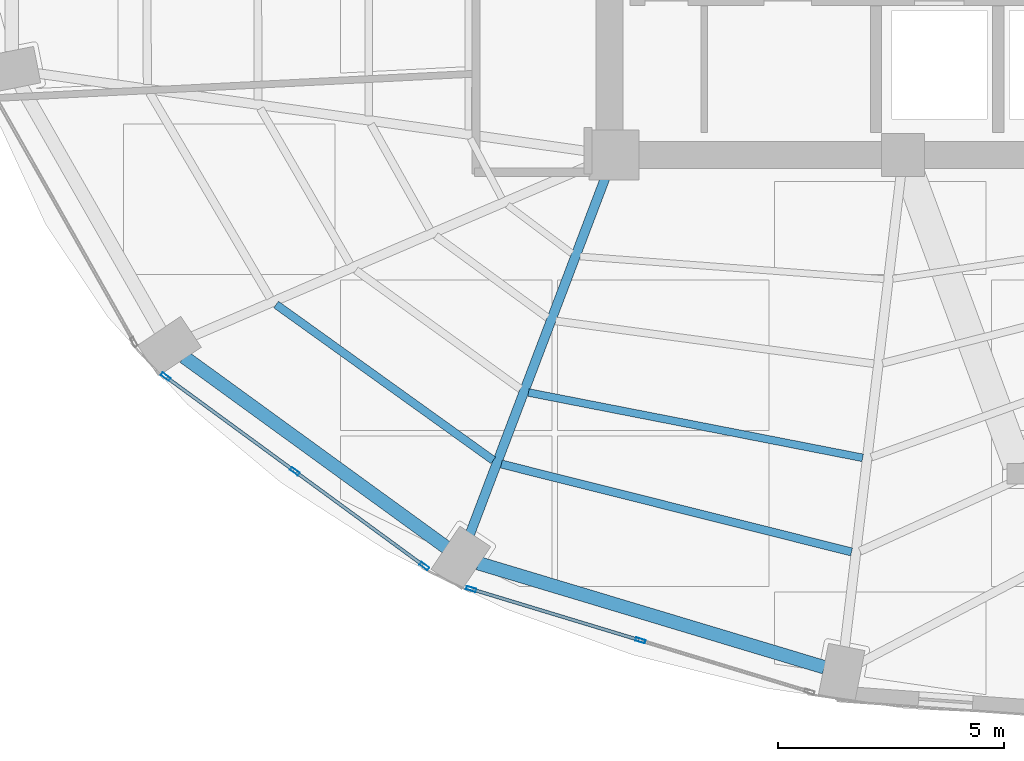
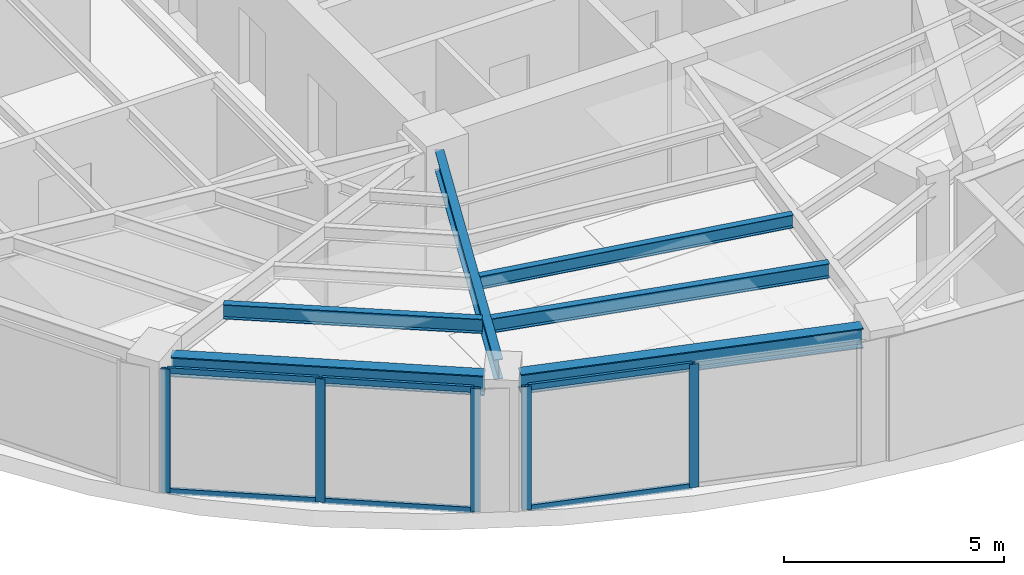
# One storey, part 2 of 20: 11 members, 6 beams, 2 elements without a shape of their own.
"""IFC4 building model written with IfcOpenShell, lengths in metres."""

from ifc_helpers import new_model, si_unit, direction, frame, origin, origin_2d, place, context, subcontext, project, spatial, hollow_rectangle, i_section, extrude, material, layer, layer_set, material_profile, profile_set, type_object, element, aggregate, save


model = new_model("IFC4")

# Units and contexts
model_context = context("Model", 3, precision=1e-05, world=origin(), true_north=direction((0.0, 1.0)))
body_context = subcontext(model_context, "Body", "Model", "MODEL_VIEW")
ifc_project = project(units=[si_unit("LENGTHUNIT", "METRE"), si_unit("AREAUNIT", "SQUARE_METRE"), si_unit("VOLUMEUNIT", "CUBIC_METRE"), si_unit("PLANEANGLEUNIT", "RADIAN"), si_unit("MASSUNIT", "GRAM", prefix="KILO")], contexts=[model_context])

# Site, building, storey
site_placement = place(None, origin())
site = spatial("IfcSite", under=ifc_project, at=site_placement, CompositionType="ELEMENT")
building_placement = place(site_placement, origin())
building = spatial("IfcBuilding", under=site, at=building_placement, Name="Lazwardi Medical Tower", CompositionType="ELEMENT")
storey_placement = place(building_placement, frame((0.0, 0.0, 138.2880859375)))
storey = spatial("IfcBuildingStorey", under=building, at=storey_placement, Name="L35", CompositionType="ELEMENT", Elevation=138.2880859375)

# Beams
ifc_material_1 = material(Name="Steel S355", Category="steel")
ifc_material_profile_1 = material_profile(ifc_material_1, i_section(OverallWidth=0.300048828125, OverallDepth=0.550048828125, WebThickness=0.014892578125, FlangeThickness=0.029052734375, at=origin_2d()), Name="HEB 550")
ifc_profile_set_1 = profile_set([ifc_material_profile_1], Name="Steel S355")
beam_type_1 = type_object("IfcBeamType", Name="BM-RB-Z3", PredefinedType="BEAM", material=ifc_profile_set_1)
beam_1_placement = place(storey_placement, frame((16.88818359375, 15.93408203125, 3.15283203125), z_axis=(0.809127570774, -0.587633026824, 0.0), x_axis=(0.587633026824, 0.809127570774, 0.0)))
element("IfcBeam", 1, at=beam_1_placement, inside=storey, type_object=beam_type_1, Name="Ring beam RB-04 B14 L35", PredefinedType="BEAM", context=body_context, shape_type="SweptSolid", body=[
    extrude(i_section(OverallWidth=0.300048828125, OverallDepth=0.550048828125, WebThickness=0.014892578125, FlangeThickness=0.029052734375, at=origin_2d()), origin(), (0.0, 0.0, 1.0), 7.170166015625),
])
beam_2_placement = place(storey_placement, frame((23.396484375, 11.37060546875, 3.15283203125), z_axis=(0.957616873483, -0.288045002771, 0.0), x_axis=(0.288045002771, 0.957616873483, 0.0)))
element("IfcBeam", 2, at=beam_2_placement, inside=storey, type_object=beam_type_1, Name="Ring beam RB-04 B15 L35", PredefinedType="BEAM", context=body_context, shape_type="SweptSolid", body=[
    extrude(i_section(OverallWidth=0.300048828125, OverallDepth=0.550048828125, WebThickness=0.014892578125, FlangeThickness=0.029052734375, at=origin_2d()), origin(), (0.0, 0.0, 1.0), 7.99951171875),
])
ifc_material_profile_2 = material_profile(ifc_material_1, i_section(OverallWidth=0.2099609375, OverallDepth=0.550048828125, WebThickness=0.010986328125, FlangeThickness=0.01708984375, at=origin_2d()), Name="IPE 550")
ifc_profile_set_2 = profile_set([ifc_material_profile_2], Name="Steel S355")
beam_type_2 = type_object("IfcBeamType", Name="BM-RG-W2", PredefinedType="BEAM", material=ifc_profile_set_2)
beam_3_placement = place(storey_placement, frame((23.21240234375, 12.00927734375, 3.15283203125), z_axis=(0.355126771712, 0.934818151307, 0.0), x_axis=(-0.934818151307, 0.355126771712, 0.0)))
element("IfcBeam", 3, at=beam_3_placement, inside=storey, type_object=beam_type_2, Name="Radial girder RG-03 R15 L35", PredefinedType="BEAM", context=body_context, shape_type="SweptSolid", body=[
    extrude(i_section(OverallWidth=0.2099609375, OverallDepth=0.550048828125, WebThickness=0.010986328125, FlangeThickness=0.01708984375, at=origin_2d()), origin(), (0.0, 0.0, 1.0), 8.44091796875),
])
ifc_material_profile_3 = material_profile(ifc_material_1, i_section(OverallWidth=0.179931640625, OverallDepth=0.39990234375, WebThickness=0.008544921875, FlangeThickness=0.013427734375, at=origin_2d()), Name="IPE 400")
ifc_profile_set_3 = profile_set([ifc_material_profile_3], Name="Steel S355")
beam_type_3 = type_object("IfcBeamType", Name="BM-SJ-01", PredefinedType="JOIST", material=ifc_profile_set_3)
beam_4_placement = place(storey_placement, frame((18.926025390625, 17.091796875, 3.22802734375), z_axis=(0.812602017757, -0.582818977675, 0.0), x_axis=(0.582818977675, 0.812602017757, 0.0)))
element("IfcBeam", 4, at=beam_4_placement, inside=storey, type_object=beam_type_3, Name="Secondary joist SJ-01 R1 B14 L35", PredefinedType="JOIST", context=body_context, shape_type="SweptSolid", body=[
    extrude(i_section(OverallWidth=0.179931640625, OverallDepth=0.39990234375, WebThickness=0.008544921875, FlangeThickness=0.013427734375, at=origin_2d()), origin(), (0.0, 0.0, 1.0), 5.91259765625),
])
beam_5_placement = place(storey_placement, frame((23.908935546875, 13.56298828125, 3.22802734375), z_axis=(0.969933596942, -0.243369713652, 0.0), x_axis=(0.243369713652, 0.969933596942, 0.0)))
element("IfcBeam", 5, at=beam_5_placement, inside=storey, type_object=beam_type_3, Name="Secondary joist SJ-01 R1 B15 L35", PredefinedType="JOIST", context=body_context, shape_type="SweptSolid", body=[
    extrude(i_section(OverallWidth=0.179931640625, OverallDepth=0.39990234375, WebThickness=0.008544921875, FlangeThickness=0.013427734375, at=origin_2d()), origin(), (0.0, 0.0, 1.0), 7.98828125),
])
ifc_material_profile_4 = material_profile(ifc_material_1, i_section(OverallWidth=0.169921875, OverallDepth=0.360107421875, WebThickness=0.008056640625, FlangeThickness=0.0126953125, at=origin_2d()), Name="IPE 360")
ifc_profile_set_4 = profile_set([ifc_material_profile_4], Name="Steel S355")
beam_type_4 = type_object("IfcBeamType", Name="BM-SJ-02", PredefinedType="JOIST", material=ifc_profile_set_4)
beam_6_placement = place(storey_placement, frame((24.509521484375, 15.146484375, 3.247802734375), z_axis=(0.98141534692, -0.191895588353, 0.0), x_axis=(0.191895588353, 0.98141534692, 0.0)))
element("IfcBeam", 6, at=beam_6_placement, inside=storey, type_object=beam_type_4, Name="Secondary joist SJ-02 R2 B15 L35", PredefinedType="JOIST", context=body_context, shape_type="SweptSolid", body=[
    extrude(i_section(OverallWidth=0.169921875, OverallDepth=0.360107421875, WebThickness=0.008056640625, FlangeThickness=0.0126953125, at=origin_2d()), origin(), (0.0, 0.0, 1.0), 7.534423828125),
])

# Curtain wall, members
ifc_material_2 = material(Name="Anodised bronze aluminium and solar control glazing", Category="aluminium")
ifc_layer = layer(ifc_material_2, 0.195068359375)
ifc_layer_set = layer_set([ifc_layer], Name="Anodised bronze aluminium and solar control glazing")
curtain_wall_type = type_object("IfcCurtainWallType", Name="CW-SYS-03", PredefinedType="NOTDEFINED", material=ifc_layer_set)
curtain_wall_1_placement = place(storey_placement, origin())
curtain_wall_1 = element("IfcCurtainWall", 7, at=curtain_wall_1_placement, inside=storey, type_object=curtain_wall_type, Name="L35 Unitised bronze curtain wall CW-03", PredefinedType="NOTDEFINED")
ifc_material_3 = material(Name="Anodised bronze aluminium", Category="aluminium")
ifc_material_profile_5 = material_profile(ifc_material_3, hollow_rectangle(XDim=0.074951171875, YDim=0.219970703125, WallThickness=0.00390625, at=origin_2d()), Name="ALU-MULLION 220x75x4")
ifc_profile_set_5 = profile_set([ifc_material_profile_5], Name="Anodised bronze aluminium")
member_type_1 = type_object("IfcMemberType", Name="CW-MUL-01", PredefinedType="MULLION", material=ifc_profile_set_5)
member_1_placement = place(storey_placement, frame((16.480224609375, 15.4970703125, 0.0), z_axis=(0.0, 0.0, 1.0), x_axis=(0.590833862635, 0.806793249082, 0.0)))
member_1 = element("IfcMember", 8, at=member_1_placement, type_object=member_type_1, Name="CW-03 mullion 1", PredefinedType="MULLION", context=body_context, shape_type="SweptSolid", body=[
    extrude(hollow_rectangle(XDim=0.074951171875, YDim=0.219970703125, WallThickness=0.00390625, at=origin_2d()), origin(), (0.0, 0.0, 1.0), 3.427978515625),
])
member_2_placement = place(storey_placement, frame((19.34228515625, 13.401123046875, 0.0), z_axis=(0.0, 0.0, 1.0), x_axis=(0.590833862635, 0.806793249082, 0.0)))
member_2 = element("IfcMember", 9, at=member_2_placement, type_object=member_type_1, Name="CW-03 mullion 2", PredefinedType="MULLION", context=body_context, shape_type="SweptSolid", body=[
    extrude(hollow_rectangle(XDim=0.074951171875, YDim=0.219970703125, WallThickness=0.00390625, at=origin_2d()), origin(), (0.0, 0.0, 1.0), 3.427978515625),
])
member_3_placement = place(storey_placement, frame((22.204345703125, 11.30517578125, 0.0), z_axis=(0.0, 0.0, 1.0), x_axis=(0.590833862635, 0.806793249082, 0.0)))
member_3 = element("IfcMember", 10, at=member_3_placement, type_object=member_type_1, Name="CW-03 mullion 3", PredefinedType="MULLION", context=body_context, shape_type="SweptSolid", body=[
    extrude(hollow_rectangle(XDim=0.074951171875, YDim=0.219970703125, WallThickness=0.00390625, at=origin_2d()), origin(), (0.0, 0.0, 1.0), 3.427978515625),
])

curtain_wall_2_placement = place(storey_placement, origin())
curtain_wall_2 = element("IfcCurtainWall", 11, at=curtain_wall_2_placement, inside=storey, type_object=curtain_wall_type, Name="L35 Unitised bronze curtain wall CW-03", PredefinedType="NOTDEFINED")
member_4_placement = place(storey_placement, frame((23.241943359375, 10.796630859375, 0.0), z_axis=(0.0, 0.0, 1.0), x_axis=(0.290280785441, 0.956941516292, 0.0)))
member_4 = element("IfcMember", 12, at=member_4_placement, type_object=member_type_1, Name="CW-03 mullion 1", PredefinedType="MULLION", context=body_context, shape_type="SweptSolid", body=[
    extrude(hollow_rectangle(XDim=0.074951171875, YDim=0.219970703125, WallThickness=0.00390625, at=origin_2d()), origin(), (0.0, 0.0, 1.0), 3.427978515625),
])
member_5_placement = place(storey_placement, frame((26.98486328125, 9.661376953125, 0.0), z_axis=(0.0, 0.0, 1.0), x_axis=(0.290280785441, 0.956941516292, 0.0)))
member_5 = element("IfcMember", 13, at=member_5_placement, type_object=member_type_1, Name="CW-03 mullion 2", PredefinedType="MULLION", context=body_context, shape_type="SweptSolid", body=[
    extrude(hollow_rectangle(XDim=0.074951171875, YDim=0.219970703125, WallThickness=0.00390625, at=origin_2d()), origin(), (0.0, 0.0, 1.0), 3.427978515625),
])

# Member
ifc_material_profile_6 = material_profile(ifc_material_3, hollow_rectangle(XDim=0.074951171875, YDim=0.159912109375, WallThickness=0.00390625, at=origin_2d()), Name="ALU-TRANSOM 160x75x4")
ifc_profile_set_6 = profile_set([ifc_material_profile_6], Name="Anodised bronze aluminium")
member_type_2 = type_object("IfcMemberType", Name="CW-TRN-01", PredefinedType="USERDEFINED", material=ifc_profile_set_6)
member_6_placement = place(storey_placement, frame((16.510498046875, 15.474853515625, 0.037353515625), z_axis=(0.806807161185, -0.590814864962, 0.0), x_axis=(0.590814864962, 0.806807161185, 0.0)))
member_6 = element("IfcMember", 14, at=member_6_placement, type_object=member_type_2, Name="CW-03 transom 1.1", ObjectType="TRANSOM", PredefinedType="USERDEFINED", context=body_context, shape_type="SweptSolid", body=[
    extrude(hollow_rectangle(XDim=0.074951171875, YDim=0.159912109375, WallThickness=0.00390625, at=origin_2d()), origin(), (0.0, 0.0, 1.0), 3.472412109375),
])

member_7_placement = place(storey_placement, frame((16.510498046875, 15.474853515625, 3.390380859375), z_axis=(0.806807161185, -0.590814864962, 0.0), x_axis=(0.590814864962, 0.806807161185, 0.0)))
member_7 = element("IfcMember", 15, at=member_7_placement, type_object=member_type_2, Name="CW-03 transom 1.2", ObjectType="TRANSOM", PredefinedType="USERDEFINED", context=body_context, shape_type="SweptSolid", body=[
    extrude(hollow_rectangle(XDim=0.074951171875, YDim=0.159912109375, WallThickness=0.00390625, at=origin_2d()), origin(), (0.0, 0.0, 1.0), 3.472412109375),
])

member_8_placement = place(storey_placement, frame((19.37255859375, 13.37890625, 0.037353515625), z_axis=(0.806807161185, -0.590814864962, 0.0), x_axis=(0.590814864962, 0.806807161185, 0.0)))
member_8 = element("IfcMember", 16, at=member_8_placement, type_object=member_type_2, Name="CW-03 transom 2.1", ObjectType="TRANSOM", PredefinedType="USERDEFINED", context=body_context, shape_type="SweptSolid", body=[
    extrude(hollow_rectangle(XDim=0.074951171875, YDim=0.159912109375, WallThickness=0.00390625, at=origin_2d()), origin(), (0.0, 0.0, 1.0), 3.472412109375),
])

member_9_placement = place(storey_placement, frame((19.37255859375, 13.37890625, 3.390380859375), z_axis=(0.806807161185, -0.590814864962, 0.0), x_axis=(0.590814864962, 0.806807161185, 0.0)))
member_9 = element("IfcMember", 17, at=member_9_placement, type_object=member_type_2, Name="CW-03 transom 2.2", ObjectType="TRANSOM", PredefinedType="USERDEFINED", context=body_context, shape_type="SweptSolid", body=[
    extrude(hollow_rectangle(XDim=0.074951171875, YDim=0.159912109375, WallThickness=0.00390625, at=origin_2d()), origin(), (0.0, 0.0, 1.0), 3.472412109375),
])

aggregate(curtain_wall_1, [member_1, member_2, member_3, member_6, member_7, member_8, member_9])

member_10_placement = place(storey_placement, frame((23.27783203125, 10.785888671875, 0.037353515625), z_axis=(0.956930154175, -0.290318239233, 0.0), x_axis=(0.290318239233, 0.956930154175, 0.0)))
member_10 = element("IfcMember", 18, at=member_10_placement, type_object=member_type_2, Name="CW-03 transom 1.1", ObjectType="TRANSOM", PredefinedType="USERDEFINED", context=body_context, shape_type="SweptSolid", body=[
    extrude(hollow_rectangle(XDim=0.074951171875, YDim=0.159912109375, WallThickness=0.00390625, at=origin_2d()), origin(), (0.0, 0.0, 1.0), 3.83642578125),
])

member_11_placement = place(storey_placement, frame((23.27783203125, 10.785888671875, 3.390380859375), z_axis=(0.956930154175, -0.290318239233, 0.0), x_axis=(0.290318239233, 0.956930154175, 0.0)))
member_11 = element("IfcMember", 19, at=member_11_placement, type_object=member_type_2, Name="CW-03 transom 1.2", ObjectType="TRANSOM", PredefinedType="USERDEFINED", context=body_context, shape_type="SweptSolid", body=[
    extrude(hollow_rectangle(XDim=0.074951171875, YDim=0.159912109375, WallThickness=0.00390625, at=origin_2d()), origin(), (0.0, 0.0, 1.0), 3.83642578125),
])

aggregate(curtain_wall_2, [member_4, member_5, member_10, member_11])

save(model, "model.ifc")
